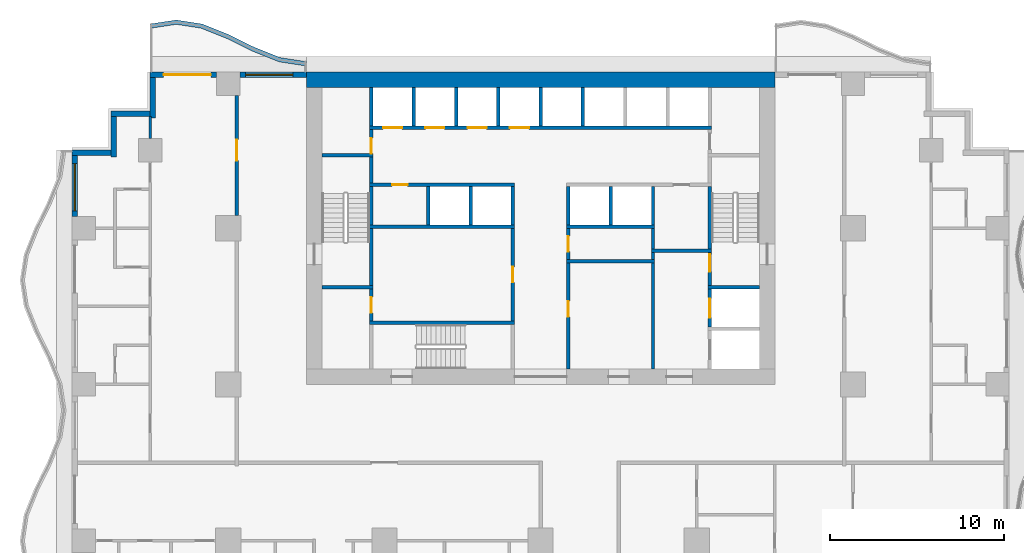
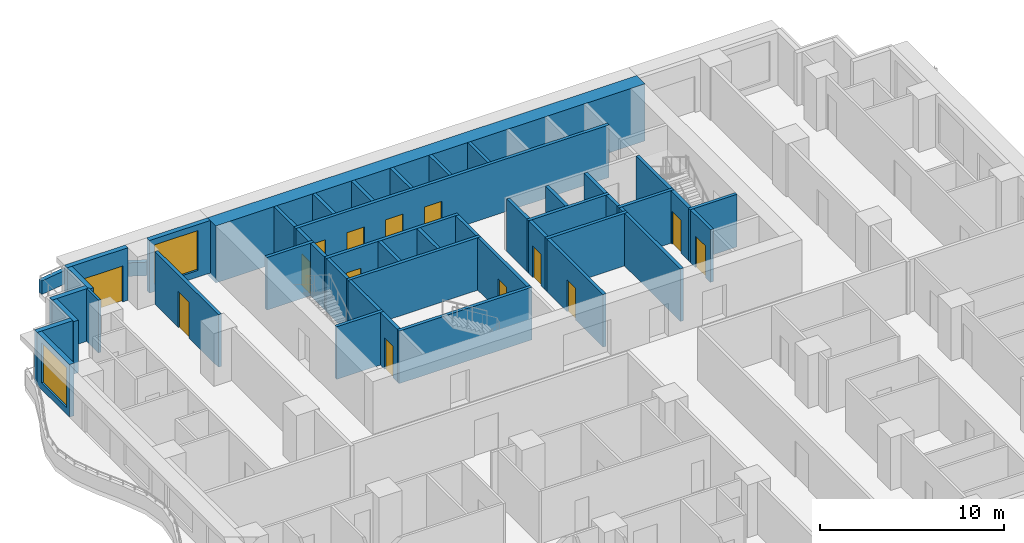
# One storey, part 5 of 13: 47 walls, 14 doors, 2 windows, 16 openings.
"""IFC4 building model written with IfcOpenShell, lengths in metres."""

from ifc_helpers import new_model, si_unit, direction, frame, frame_2d, origin, place, context, subcontext, project, spatial, polyline, rectangle, outline, extrude, material, layer, layer_set, type_object, element, fill, save


model = new_model("IFC4")

# Units and contexts
model_context = context("Model", 3, precision=1e-05, world=origin(), true_north=direction((0.0, 1.0)))
body_context = subcontext(model_context, "Body", "Model", "MODEL_VIEW")
ifc_project = project(units=[si_unit("LENGTHUNIT", "METRE"), si_unit("AREAUNIT", "SQUARE_METRE"), si_unit("VOLUMEUNIT", "CUBIC_METRE"), si_unit("PLANEANGLEUNIT", "RADIAN"), si_unit("MASSUNIT", "GRAM", prefix="KILO")], contexts=[model_context])

# Site, building, storey
site_placement = place(None, origin())
site = spatial("IfcSite", under=ifc_project, at=site_placement, CompositionType="ELEMENT")
building_placement = place(site_placement, origin())
building = spatial("IfcBuilding", under=site, at=building_placement, Name="Orbiselva Terraces", CompositionType="ELEMENT")
storey_placement = place(building_placement, frame((0.0, 0.0, 69.4)))
storey = spatial("IfcBuildingStorey", under=building, at=storey_placement, Name="L17", CompositionType="ELEMENT", Elevation=69.4)

# Wall
ifc_material_1 = material(Name="Concrete C80/95", Category="concrete")
ifc_layer_1 = layer(ifc_material_1, 0.9)
ifc_layer_set_1 = layer_set([ifc_layer_1], Name="Concrete C80/95")
wall_type_1 = type_object("IfcWallType", Name="CORE WALL 900 EXTERNAL", PredefinedType="SHEAR", material=ifc_layer_set_1)
wall_1_placement = place(storey_placement, frame((13.5, 22.05, -0.3), z_axis=(0.0, 0.0, 1.0), x_axis=(-1.0, 0.0, 0.0)))
element("IfcWall", 1, at=wall_1_placement, inside=storey, type_object=wall_type_1, Name="Core wall L17 north", PredefinedType="SHEAR", context=body_context, shape_type="SweptSolid", body=[
    extrude(rectangle(XDim=27.0, YDim=0.9, at=frame_2d((13.5, 0.0))), origin(), (0.0, 0.0, 1.0), 3.8),
])

# Wall, opening, door
ifc_material_2 = material(Name="Masonry blockwork", Category="masonry")
ifc_layer_2 = layer(ifc_material_2, 0.2)
ifc_layer_set_2 = layer_set([ifc_layer_2], Name="Masonry blockwork")
wall_type_2 = type_object("IfcWallType", Name="CORE-WALL-PARTITION-200", PredefinedType="PARTITIONING", material=ifc_layer_set_2)
wall_2_placement = place(storey_placement, frame((-9.75, 8.15, 0.0), z_axis=(0.0, 0.0, 1.0), x_axis=(0.0, 1.0, 0.0)))
wall_2 = element("IfcWall", 2, at=wall_2_placement, inside=storey, type_object=wall_type_2, Name="L17 core wall 05", PredefinedType="PARTITIONING", context=body_context, shape_type="SweptSolid", body=[
    extrude(rectangle(XDim=1.85, YDim=0.2, at=frame_2d((0.925, 0.0))), origin(), (0.0, 0.0, 1.0), 3.5),
])
opening_1_placement = place(wall_2_placement, frame((0.475, 0.0, 0.0)))
opening_1 = element("IfcOpeningElement", 3, at=opening_1_placement, cuts=wall_2, Name="Opening DR900", PredefinedType="OPENING", context=body_context, shape_type="SweptSolid", body=[
    extrude(rectangle(XDim=0.9, YDim=2.1, at=frame_2d((0.45, 1.05))), frame((0.0, 0.11, 0.0), z_axis=(0.0, -1.0, 0.0), x_axis=(1.0, 0.0, 0.0)), (0.0, 0.0, 1.0), 0.22),
])
ifc_material_3 = material(Name="Steel fire door", Category="steel")
door_type_1 = type_object("IfcDoorType", Name="ROOM DOOR 900", OperationType="NOTDEFINED", PredefinedType="DOOR", material=ifc_material_3)
door_1_placement = place(opening_1_placement, origin())
door_1 = element("IfcDoor", 4, at=door_1_placement, inside=storey, type_object=door_type_1, Name="L17 ACCESSIBLE WC door", OperationType="SINGLE_SWING_RIGHT", OverallHeight=2.1, OverallWidth=0.9, PredefinedType="DOOR", context=body_context, shape_type="SweptSolid", body=[
    extrude(rectangle(XDim=0.9, YDim=2.1, at=frame_2d((0.45, 1.05))), frame((0.0, 0.025, 0.0), z_axis=(0.0, -1.0, 0.0), x_axis=(1.0, 0.0, 0.0)), (0.0, 0.0, 1.0), 0.05),
])
fill(opening_1, door_1)

wall_3_placement = place(storey_placement, frame((-9.75, 17.8, 0.0), z_axis=(0.0, 0.0, 1.0), x_axis=(0.0, 1.0, 0.0)))
wall_3 = element("IfcWall", 5, at=wall_3_placement, inside=storey, type_object=wall_type_2, Name="L17 core wall 11", PredefinedType="PARTITIONING", context=body_context, shape_type="SweptSolid", body=[
    extrude(rectangle(XDim=1.4, YDim=0.2, at=frame_2d((0.7, 0.0))), origin(), (0.0, 0.0, 1.0), 3.5),
])
opening_2_placement = place(wall_3_placement, origin())
opening_2 = element("IfcOpeningElement", 6, at=opening_2_placement, cuts=wall_3, Name="Opening DR900", PredefinedType="OPENING", context=body_context, shape_type="SweptSolid", body=[
    extrude(rectangle(XDim=0.9, YDim=2.1, at=frame_2d((0.45, 1.05))), frame((0.0, 0.11, 0.0), z_axis=(0.0, -1.0, 0.0), x_axis=(1.0, 0.0, 0.0)), (0.0, 0.0, 1.0), 0.22),
])
door_2_placement = place(opening_2_placement, origin())
door_2 = element("IfcDoor", 7, at=door_2_placement, inside=storey, type_object=door_type_1, Name="L17 COMMS RISER ROOM door", OperationType="SINGLE_SWING_LEFT", OverallHeight=2.1, OverallWidth=0.9, PredefinedType="DOOR", context=body_context, shape_type="SweptSolid", body=[
    extrude(rectangle(XDim=0.9, YDim=2.1, at=frame_2d((0.45, 1.05))), frame((0.0, 0.025, 0.0), z_axis=(0.0, -1.0, 0.0), x_axis=(1.0, 0.0, 0.0)), (0.0, 0.0, 1.0), 0.05),
])
fill(opening_2, door_2)

wall_4_placement = place(storey_placement, frame((1.6, 13.5, 0.0), z_axis=(0.0, 0.0, 1.0), x_axis=(0.0, -1.0, 0.0)))
wall_4 = element("IfcWall", 8, at=wall_4_placement, inside=storey, type_object=wall_type_2, Name="L17 core wall 25", PredefinedType="PARTITIONING", context=body_context, shape_type="SweptSolid", body=[
    extrude(rectangle(XDim=1.8, YDim=0.2, at=frame_2d((0.9, 0.0))), origin(), (0.0, 0.0, 1.0), 3.5),
])
opening_3_placement = place(wall_4_placement, frame((0.45, 0.0, 0.0)))
opening_3 = element("IfcOpeningElement", 9, at=opening_3_placement, cuts=wall_4, Name="Opening DR900", PredefinedType="OPENING", context=body_context, shape_type="SweptSolid", body=[
    extrude(rectangle(XDim=0.9, YDim=2.1, at=frame_2d((0.45, 1.05))), frame((0.0, 0.11, 0.0), z_axis=(0.0, -1.0, 0.0), x_axis=(1.0, 0.0, 0.0)), (0.0, 0.0, 1.0), 0.22),
])
door_3_placement = place(opening_3_placement, origin())
door_3 = element("IfcDoor", 10, at=door_3_placement, inside=storey, type_object=door_type_1, Name="L17 IT ROOM door", OperationType="SINGLE_SWING_LEFT", OverallHeight=2.1, OverallWidth=0.9, PredefinedType="DOOR", context=body_context, shape_type="SweptSolid", body=[
    extrude(rectangle(XDim=0.9, YDim=2.1, at=frame_2d((0.45, 1.05))), frame((0.0, 0.025, 0.0), z_axis=(0.0, -1.0, 0.0), x_axis=(1.0, 0.0, 0.0)), (0.0, 0.0, 1.0), 0.05),
])
fill(opening_3, door_3)

# Walls
wall_5_placement = place(storey_placement, frame((6.475, 12.3, 0.0), z_axis=(0.0, 0.0, 1.0), x_axis=(0.0, 1.0, 0.0)))
element("IfcWall", 11, at=wall_5_placement, inside=storey, type_object=wall_type_2, Name="L17 core wall 35", PredefinedType="PARTITIONING", context=body_context, shape_type="SweptSolid", body=[
    extrude(rectangle(XDim=1.2, YDim=0.2, at=frame_2d((0.6, 0.0))), origin(), (0.0, 0.0, 1.0), 3.5),
])
ifc_material_4 = material(Name="Concrete C40/50", Category="concrete")
ifc_layer_3 = layer(ifc_material_4, 0.2)
ifc_layer_set_3 = layer_set([ifc_layer_3], Name="Concrete C40/50")
wall_type_3 = type_object("IfcWallType", Name="CORE-WALL-SHAFT-200", PredefinedType="PARTITIONING", material=ifc_layer_set_3)
for number, where, z_axis, x_axis, name in (
    (12, (-9.75, 19.4, 0.0), (0.0, 0.0, 1.0), (0.0, 1.0, 0.0), "L17 core wall 13"),
    (13, (-7.3125, 19.4, 0.0), (0.0, 0.0, 1.0), (0.0, 1.0, 0.0), "L17 core wall 14"),
    (14, (-6.475, 13.7, 0.0), (0.0, 0.0, 1.0), (0.0, 1.0, 0.0), "L17 core wall 15"),
    (15, (-4.875, 19.4, 0.0), (0.0, 0.0, 1.0), (0.0, 1.0, 0.0), "L17 core wall 16"),
    (16, (-4.0375, 13.7, 0.0), (0.0, 0.0, 1.0), (0.0, 1.0, 0.0), "L17 core wall 17"),
    (17, (-2.4375, 19.4, 0.0), (0.0, 0.0, 1.0), (0.0, 1.0, 0.0), "L17 core wall 18"),
    (18, (-1.6, 13.7, 0.0), (0.0, 0.0, 1.0), (0.0, 1.0, 0.0), "L17 core wall 21"),
    (19, (0.0, 19.4, 0.0), (0.0, 0.0, 1.0), (0.0, 1.0, 0.0), "L17 core wall 22"),
    (20, (1.6, 13.7, 0.0), (0.0, 0.0, 1.0), (0.0, 1.0, 0.0), "L17 core wall 27"),
    (21, (2.4375, 19.4, 0.0), (0.0, 0.0, 1.0), (0.0, 1.0, 0.0), "L17 core wall 29"),
    (22, (4.0375, 13.7, 0.0), (0.0, 0.0, 1.0), (0.0, 1.0, 0.0), "L17 core wall 30"),
    (23, (6.475, 13.7, 0.0), (0.0, 0.0, 1.0), (0.0, 1.0, 0.0), "L17 core wall 36"),
):
    element("IfcWall", number, at=place(storey_placement, frame(where, z_axis=z_axis, x_axis=x_axis)), inside=storey, type_object=wall_type_3, Name=name, PredefinedType="PARTITIONING", context=body_context, shape_type="SweptSolid", body=[
        extrude(rectangle(XDim=2.2, YDim=0.2, at=frame_2d((1.1, 0.0))), origin(), (0.0, 0.0, 1.0), 3.5),
    ])
ifc_material_5 = material(Name="Concrete C60/75", Category="concrete")
ifc_layer_4 = layer(ifc_material_5, 0.2)
ifc_layer_set_4 = layer_set([ifc_layer_4], Name="Concrete C60/75")
wall_type_4 = type_object("IfcWallType", Name="CORE-WALL-SHEAR-200", PredefinedType="SHEAR", material=ifc_layer_set_4)
for number, where, z_axis, x_axis, name in (
    (24, (-12.6, 10.1, 0.0), (0.0, 0.0, 1.0), (1.0, 0.0, 0.0), "L17 core wall 01"),
    (25, (-12.6, 17.7, 0.0), (0.0, 0.0, 1.0), (1.0, 0.0, 0.0), "L17 core wall 02"),
):
    element("IfcWall", number, at=place(storey_placement, frame(where, z_axis=z_axis, x_axis=x_axis)), inside=storey, type_object=wall_type_4, Name=name, PredefinedType="SHEAR", context=body_context, shape_type="SweptSolid", body=[
        extrude(rectangle(XDim=2.95, YDim=0.2, at=frame_2d((1.475, 0.0))), origin(), (0.0, 0.0, 1.0), 3.5),
    ])
wall_6_placement = place(storey_placement, frame((-9.85, 8.05, 0.0), z_axis=(0.0, 0.0, 1.0), x_axis=(1.0, 0.0, 0.0)))
element("IfcWall", 26, at=wall_6_placement, inside=storey, type_object=wall_type_4, Name="L17 core wall 04", PredefinedType="SHEAR", context=body_context, shape_type="SweptSolid", body=[
    extrude(rectangle(XDim=8.35, YDim=0.2, at=frame_2d((4.175, 0.0))), origin(), (0.0, 0.0, 1.0), 3.5),
])
wall_7_placement = place(storey_placement, frame((-9.75, 10.2, 0.0), z_axis=(0.0, 0.0, 1.0), x_axis=(0.0, 1.0, 0.0)))
element("IfcWall", 27, at=wall_7_placement, inside=storey, type_object=wall_type_4, Name="L17 core wall 06", PredefinedType="SHEAR", context=body_context, shape_type="SweptSolid", body=[
    extrude(rectangle(XDim=3.3, YDim=0.2, at=frame_2d((1.65, 0.0))), origin(), (0.0, 0.0, 1.0), 3.5),
])
wall_8_placement = place(storey_placement, frame((-9.85, 13.6, 0.0), z_axis=(0.0, 0.0, 1.0), x_axis=(1.0, 0.0, 0.0)))
element("IfcWall", 28, at=wall_8_placement, inside=storey, type_object=wall_type_4, Name="L17 core wall 07", PredefinedType="SHEAR", context=body_context, shape_type="SweptSolid", body=[
    extrude(rectangle(XDim=8.35, YDim=0.2, at=frame_2d((4.175, 0.0))), origin(), (0.0, 0.0, 1.0), 3.5),
])
wall_9_placement = place(storey_placement, frame((-9.75, 13.7, 0.0), z_axis=(0.0, 0.0, 1.0), x_axis=(0.0, 1.0, 0.0)))
element("IfcWall", 29, at=wall_9_placement, inside=storey, type_object=wall_type_4, Name="L17 core wall 08", PredefinedType="SHEAR", context=body_context, shape_type="SweptSolid", body=[
    extrude(rectangle(XDim=2.2, YDim=0.2, at=frame_2d((1.1, 0.0))), origin(), (0.0, 0.0, 1.0), 3.5),
])

# Wall, opening, door
wall_10_placement = place(storey_placement, frame((-1.5, 16.0, 0.0), z_axis=(0.0, 0.0, 1.0), x_axis=(-1.0, 0.0, 0.0)))
wall_10 = element("IfcWall", 30, at=wall_10_placement, inside=storey, type_object=wall_type_4, Name="L17 core wall 09", PredefinedType="SHEAR", context=body_context, shape_type="SweptSolid", body=[
    extrude(rectangle(XDim=8.35, YDim=0.2, at=frame_2d((4.175, 0.0))), origin(), (0.0, 0.0, 1.0), 3.5),
])
opening_4_placement = place(wall_10_placement, frame((6.1625, 0.0, 0.0)))
opening_4 = element("IfcOpeningElement", 31, at=opening_4_placement, cuts=wall_10, Name="Opening DR900", PredefinedType="OPENING", context=body_context, shape_type="SweptSolid", body=[
    extrude(rectangle(XDim=0.9, YDim=2.1, at=frame_2d((0.45, 1.05))), frame((0.0, 0.11, 0.0), z_axis=(0.0, -1.0, 0.0), x_axis=(1.0, 0.0, 0.0)), (0.0, 0.0, 1.0), 0.22),
])
door_4_placement = place(opening_4_placement, origin())
door_4 = element("IfcDoor", 32, at=door_4_placement, inside=storey, type_object=door_type_1, Name="L17 IT ROOM door", OperationType="SINGLE_SWING_RIGHT", OverallHeight=2.1, OverallWidth=0.9, PredefinedType="DOOR", context=body_context, shape_type="SweptSolid", body=[
    extrude(rectangle(XDim=0.9, YDim=2.1, at=frame_2d((0.45, 1.05))), frame((0.0, 0.025, 0.0), z_axis=(0.0, -1.0, 0.0), x_axis=(1.0, 0.0, 0.0)), (0.0, 0.0, 1.0), 0.05),
])
fill(opening_4, door_4)

# Wall
wall_11_placement = place(storey_placement, frame((-9.75, 16.1, 0.0), z_axis=(0.0, 0.0, 1.0), x_axis=(0.0, 1.0, 0.0)))
element("IfcWall", 33, at=wall_11_placement, inside=storey, type_object=wall_type_4, Name="L17 core wall 10", PredefinedType="SHEAR", context=body_context, shape_type="SweptSolid", body=[
    extrude(rectangle(XDim=1.5, YDim=0.2, at=frame_2d((0.75, 0.0))), origin(), (0.0, 0.0, 1.0), 3.5),
])

# Wall, openings, doors
wall_12_placement = place(storey_placement, frame((-9.85, 19.3, 0.0), z_axis=(0.0, 0.0, 1.0), x_axis=(1.0, 0.0, 0.0)))
wall_12 = element("IfcWall", 34, at=wall_12_placement, inside=storey, type_object=wall_type_4, Name="L17 core wall 12", PredefinedType="SHEAR", context=body_context, shape_type="SweptSolid", body=[
    extrude(rectangle(XDim=19.7, YDim=0.2, at=frame_2d((9.85, 0.0))), origin(), (0.0, 0.0, 1.0), 3.5),
])
opening_5_placement = place(wall_12_placement, frame((0.76875, 0.0, 0.0)))
opening_5 = element("IfcOpeningElement", 35, at=opening_5_placement, cuts=wall_12, Name="Opening LD-LR1", PredefinedType="OPENING", context=body_context, shape_type="SweptSolid", body=[
    extrude(rectangle(XDim=1.1, YDim=2.1, at=frame_2d((0.55, 1.05))), frame((0.0, 0.11, 0.0), z_axis=(0.0, -1.0, 0.0), x_axis=(1.0, 0.0, 0.0)), (0.0, 0.0, 1.0), 0.22),
])
opening_6_placement = place(wall_12_placement, frame((3.20625, 0.0, 0.0)))
opening_6 = element("IfcOpeningElement", 36, at=opening_6_placement, cuts=wall_12, Name="Opening LD-LR2", PredefinedType="OPENING", context=body_context, shape_type="SweptSolid", body=[
    extrude(rectangle(XDim=1.1, YDim=2.1, at=frame_2d((0.55, 1.05))), frame((0.0, 0.11, 0.0), z_axis=(0.0, -1.0, 0.0), x_axis=(1.0, 0.0, 0.0)), (0.0, 0.0, 1.0), 0.22),
])
opening_7_placement = place(wall_12_placement, frame((5.64375, 0.0, 0.0)))
opening_7 = element("IfcOpeningElement", 37, at=opening_7_placement, cuts=wall_12, Name="Opening LD-LR3", PredefinedType="OPENING", context=body_context, shape_type="SweptSolid", body=[
    extrude(rectangle(XDim=1.1, YDim=2.1, at=frame_2d((0.55, 1.05))), frame((0.0, 0.11, 0.0), z_axis=(0.0, -1.0, 0.0), x_axis=(1.0, 0.0, 0.0)), (0.0, 0.0, 1.0), 0.22),
])
opening_8_placement = place(wall_12_placement, frame((8.08125, 0.0, 0.0)))
opening_8 = element("IfcOpeningElement", 38, at=opening_8_placement, cuts=wall_12, Name="Opening LD-LR4", PredefinedType="OPENING", context=body_context, shape_type="SweptSolid", body=[
    extrude(rectangle(XDim=1.1, YDim=2.1, at=frame_2d((0.55, 1.05))), frame((0.0, 0.11, 0.0), z_axis=(0.0, -1.0, 0.0), x_axis=(1.0, 0.0, 0.0)), (0.0, 0.0, 1.0), 0.22),
])
ifc_material_6 = material(Name="Stainless steel landing door", Category="steel")
door_type_2 = type_object("IfcDoorType", Name="LANDING DOOR 1100", OperationType="SLIDING_TO_LEFT", PredefinedType="DOOR", material=ifc_material_6)
door_5_placement = place(opening_5_placement, origin())
door_5 = element("IfcDoor", 39, at=door_5_placement, inside=storey, type_object=door_type_2, Name="L17 landing door LR1", OperationType="SLIDING_TO_LEFT", OverallHeight=2.1, OverallWidth=1.1, PredefinedType="DOOR", context=body_context, shape_type="SweptSolid", body=[
    extrude(rectangle(XDim=1.1, YDim=2.1, at=frame_2d((0.55, 1.05))), frame((0.0, 0.025, 0.0), z_axis=(0.0, -1.0, 0.0), x_axis=(1.0, 0.0, 0.0)), (0.0, 0.0, 1.0), 0.05),
])
fill(opening_5, door_5)
door_6_placement = place(opening_6_placement, origin())
door_6 = element("IfcDoor", 40, at=door_6_placement, inside=storey, type_object=door_type_2, Name="L17 landing door LR2", OperationType="SLIDING_TO_LEFT", OverallHeight=2.1, OverallWidth=1.1, PredefinedType="DOOR", context=body_context, shape_type="SweptSolid", body=[
    extrude(rectangle(XDim=1.1, YDim=2.1, at=frame_2d((0.55, 1.05))), frame((0.0, 0.025, 0.0), z_axis=(0.0, -1.0, 0.0), x_axis=(1.0, 0.0, 0.0)), (0.0, 0.0, 1.0), 0.05),
])
fill(opening_6, door_6)
door_7_placement = place(opening_7_placement, origin())
door_7 = element("IfcDoor", 41, at=door_7_placement, inside=storey, type_object=door_type_2, Name="L17 landing door LR3", OperationType="SLIDING_TO_LEFT", OverallHeight=2.1, OverallWidth=1.1, PredefinedType="DOOR", context=body_context, shape_type="SweptSolid", body=[
    extrude(rectangle(XDim=1.1, YDim=2.1, at=frame_2d((0.55, 1.05))), frame((0.0, 0.025, 0.0), z_axis=(0.0, -1.0, 0.0), x_axis=(1.0, 0.0, 0.0)), (0.0, 0.0, 1.0), 0.05),
])
fill(opening_7, door_7)
door_8_placement = place(opening_8_placement, origin())
door_8 = element("IfcDoor", 42, at=door_8_placement, inside=storey, type_object=door_type_2, Name="L17 landing door LR4", OperationType="SLIDING_TO_LEFT", OverallHeight=2.1, OverallWidth=1.1, PredefinedType="DOOR", context=body_context, shape_type="SweptSolid", body=[
    extrude(rectangle(XDim=1.1, YDim=2.1, at=frame_2d((0.55, 1.05))), frame((0.0, 0.025, 0.0), z_axis=(0.0, -1.0, 0.0), x_axis=(1.0, 0.0, 0.0)), (0.0, 0.0, 1.0), 0.05),
])
fill(opening_8, door_8)

# Wall, opening, door
wall_13_placement = place(storey_placement, frame((-1.6, 8.15, 0.0), z_axis=(0.0, 0.0, 1.0), x_axis=(0.0, 1.0, 0.0)))
wall_13 = element("IfcWall", 43, at=wall_13_placement, inside=storey, type_object=wall_type_4, Name="L17 core wall 20", PredefinedType="SHEAR", context=body_context, shape_type="SweptSolid", body=[
    extrude(rectangle(XDim=5.35, YDim=0.2, at=frame_2d((2.675, 0.0))), origin(), (0.0, 0.0, 1.0), 3.5),
])
opening_9_placement = place(wall_13_placement, frame((2.225, 0.0, 0.0)))
opening_9 = element("IfcOpeningElement", 44, at=opening_9_placement, cuts=wall_13, Name="Opening DR900", PredefinedType="OPENING", context=body_context, shape_type="SweptSolid", body=[
    extrude(rectangle(XDim=0.9, YDim=2.1, at=frame_2d((0.45, 1.05))), frame((0.0, 0.11, 0.0), z_axis=(0.0, -1.0, 0.0), x_axis=(1.0, 0.0, 0.0)), (0.0, 0.0, 1.0), 0.22),
])
door_9_placement = place(opening_9_placement, origin())
door_9 = element("IfcDoor", 45, at=door_9_placement, inside=storey, type_object=door_type_1, Name="L17 LINEN STORE door", OperationType="SINGLE_SWING_RIGHT", OverallHeight=2.1, OverallWidth=0.9, PredefinedType="DOOR", context=body_context, shape_type="SweptSolid", body=[
    extrude(rectangle(XDim=0.9, YDim=2.1, at=frame_2d((0.45, 1.05))), frame((0.0, 0.025, 0.0), z_axis=(0.0, -1.0, 0.0), x_axis=(1.0, 0.0, 0.0)), (0.0, 0.0, 1.0), 0.05),
])
fill(opening_9, door_9)

wall_14_placement = place(storey_placement, frame((1.6, 11.5, 0.0), z_axis=(0.0, 0.0, 1.0), x_axis=(0.0, -1.0, 0.0)))
wall_14 = element("IfcWall", 46, at=wall_14_placement, inside=storey, type_object=wall_type_4, Name="L17 core wall 23", PredefinedType="SHEAR", context=body_context, shape_type="SweptSolid", body=[
    extrude(rectangle(XDim=6.1, YDim=0.2, at=frame_2d((3.05, 0.0))), origin(), (0.0, 0.0, 1.0), 3.5),
])
opening_10_placement = place(wall_14_placement, frame((2.2, 0.0, 0.0)))
opening_10 = element("IfcOpeningElement", 47, at=opening_10_placement, cuts=wall_14, Name="Opening DR900", PredefinedType="OPENING", context=body_context, shape_type="SweptSolid", body=[
    extrude(rectangle(XDim=0.9, YDim=2.1, at=frame_2d((0.45, 1.05))), frame((0.0, 0.11, 0.0), z_axis=(0.0, -1.0, 0.0), x_axis=(1.0, 0.0, 0.0)), (0.0, 0.0, 1.0), 0.22),
])
door_10_placement = place(opening_10_placement, origin())
door_10 = element("IfcDoor", 48, at=door_10_placement, inside=storey, type_object=door_type_1, Name="L17 SERVICE ROOM door", OperationType="SINGLE_SWING_LEFT", OverallHeight=2.1, OverallWidth=0.9, PredefinedType="DOOR", context=body_context, shape_type="SweptSolid", body=[
    extrude(rectangle(XDim=0.9, YDim=2.1, at=frame_2d((0.45, 1.05))), frame((0.0, 0.025, 0.0), z_axis=(0.0, -1.0, 0.0), x_axis=(1.0, 0.0, 0.0)), (0.0, 0.0, 1.0), 0.05),
])
fill(opening_10, door_10)

# Walls
for number, where, z_axis, x_axis, name in (
    (49, (1.5, 11.6, 0.0), (0.0, 0.0, 1.0), (1.0, 0.0, 0.0), "L17 core wall 24"),
    (50, (1.5, 13.6, 0.0), (0.0, 0.0, 1.0), (1.0, 0.0, 0.0), "L17 core wall 26"),
):
    element("IfcWall", number, at=place(storey_placement, frame(where, z_axis=z_axis, x_axis=x_axis)), inside=storey, type_object=wall_type_4, Name=name, PredefinedType="SHEAR", context=body_context, shape_type="SweptSolid", body=[
        extrude(rectangle(XDim=5.075, YDim=0.2, at=frame_2d((2.5375, 0.0))), origin(), (0.0, 0.0, 1.0), 3.5),
    ])
wall_15_placement = place(storey_placement, frame((6.475, 5.4, 0.0), z_axis=(0.0, 0.0, 1.0), x_axis=(0.0, 1.0, 0.0)))
element("IfcWall", 51, at=wall_15_placement, inside=storey, type_object=wall_type_4, Name="L17 core wall 32", PredefinedType="SHEAR", context=body_context, shape_type="SweptSolid", body=[
    extrude(rectangle(XDim=6.1, YDim=0.2, at=frame_2d((3.05, 0.0))), origin(), (0.0, 0.0, 1.0), 3.5),
])
wall_16_placement = place(storey_placement, frame((6.475, 11.7, 0.0), z_axis=(0.0, 0.0, 1.0), x_axis=(0.0, 1.0, 0.0)))
element("IfcWall", 52, at=wall_16_placement, inside=storey, type_object=wall_type_4, Name="L17 core wall 33", PredefinedType="SHEAR", context=body_context, shape_type="SweptSolid", body=[
    extrude(rectangle(XDim=0.4, YDim=0.2, at=frame_2d((0.2, 0.0))), origin(), (0.0, 0.0, 1.0), 3.5),
])
wall_17_placement = place(storey_placement, frame((6.375, 12.2, 0.0), z_axis=(0.0, 0.0, 1.0), x_axis=(1.0, 0.0, 0.0)))
element("IfcWall", 53, at=wall_17_placement, inside=storey, type_object=wall_type_4, Name="L17 core wall 34", PredefinedType="SHEAR", context=body_context, shape_type="SweptSolid", body=[
    extrude(rectangle(XDim=3.475, YDim=0.2, at=frame_2d((1.7375, 0.0))), origin(), (0.0, 0.0, 1.0), 3.5),
])

# Wall, opening, door
wall_18_placement = place(storey_placement, frame((9.75, 7.8, 0.0), z_axis=(0.0, 0.0, 1.0), x_axis=(0.0, 1.0, 0.0)))
wall_18 = element("IfcWall", 54, at=wall_18_placement, inside=storey, type_object=wall_type_4, Name="L17 core wall 40", PredefinedType="SHEAR", context=body_context, shape_type="SweptSolid", body=[
    extrude(rectangle(XDim=2.2, YDim=0.2, at=frame_2d((1.1, 0.0))), origin(), (0.0, 0.0, 1.0), 3.5),
])
opening_11_placement = place(wall_18_placement, frame((0.55, 0.0, 0.0)))
opening_11 = element("IfcOpeningElement", 55, at=opening_11_placement, cuts=wall_18, Name="Opening LD-FF2", PredefinedType="OPENING", context=body_context, shape_type="SweptSolid", body=[
    extrude(rectangle(XDim=1.1, YDim=2.1, at=frame_2d((0.55, 1.05))), frame((0.0, 0.11, 0.0), z_axis=(0.0, -1.0, 0.0), x_axis=(1.0, 0.0, 0.0)), (0.0, 0.0, 1.0), 0.22),
])
door_11_placement = place(opening_11_placement, origin())
door_11 = element("IfcDoor", 56, at=door_11_placement, inside=storey, type_object=door_type_2, Name="L17 landing door FF2", OperationType="SLIDING_TO_RIGHT", OverallHeight=2.1, OverallWidth=1.1, PredefinedType="DOOR", context=body_context, shape_type="SweptSolid", body=[
    extrude(rectangle(XDim=1.1, YDim=2.1, at=frame_2d((0.55, 1.05))), frame((0.0, 0.025, 0.0), z_axis=(0.0, -1.0, 0.0), x_axis=(1.0, 0.0, 0.0)), (0.0, 0.0, 1.0), 0.05),
])
fill(opening_11, door_11)

# Wall
wall_19_placement = place(storey_placement, frame((9.65, 10.1, 0.0), z_axis=(0.0, 0.0, 1.0), x_axis=(1.0, 0.0, 0.0)))
element("IfcWall", 57, at=wall_19_placement, inside=storey, type_object=wall_type_4, Name="L17 core wall 41", PredefinedType="SHEAR", context=body_context, shape_type="SweptSolid", body=[
    extrude(rectangle(XDim=2.95, YDim=0.2, at=frame_2d((1.475, 0.0))), origin(), (0.0, 0.0, 1.0), 3.5),
])

# Wall, opening, door
wall_20_placement = place(storey_placement, frame((9.75, 12.1, 0.0), z_axis=(0.0, 0.0, 1.0), x_axis=(0.0, -1.0, 0.0)))
wall_20 = element("IfcWall", 58, at=wall_20_placement, inside=storey, type_object=wall_type_4, Name="L17 core wall 42", PredefinedType="SHEAR", context=body_context, shape_type="SweptSolid", body=[
    extrude(rectangle(XDim=1.9, YDim=0.2, at=frame_2d((0.95, 0.0))), origin(), (0.0, 0.0, 1.0), 3.5),
])
opening_12_placement = place(wall_20_placement, frame((0.1, 0.0, 0.0)))
opening_12 = element("IfcOpeningElement", 59, at=opening_12_placement, cuts=wall_20, Name="Opening DS1000", PredefinedType="OPENING", context=body_context, shape_type="SweptSolid", body=[
    extrude(rectangle(XDim=1.0, YDim=2.2, at=frame_2d((0.5, 1.1))), frame((0.0, 0.11, 0.0), z_axis=(0.0, -1.0, 0.0), x_axis=(1.0, 0.0, 0.0)), (0.0, 0.0, 1.0), 0.22),
])
door_type_3 = type_object("IfcDoorType", Name="STAIR DOOR 1000", OperationType="NOTDEFINED", PredefinedType="DOOR", material=ifc_material_3)
door_12_placement = place(opening_12_placement, origin())
door_12 = element("IfcDoor", 60, at=door_12_placement, inside=storey, type_object=door_type_3, Name="L17 FIRE-FIGHTING LOBBY TO EXIT STAIR S2 door", OperationType="SINGLE_SWING_LEFT", OverallHeight=2.2, OverallWidth=1.0, PredefinedType="DOOR", context=body_context, shape_type="SweptSolid", body=[
    extrude(rectangle(XDim=1.0, YDim=2.2, at=frame_2d((0.5, 1.1))), frame((0.0, 0.025, 0.0), z_axis=(0.0, -1.0, 0.0), x_axis=(1.0, 0.0, 0.0)), (0.0, 0.0, 1.0), 0.05),
])
fill(opening_12, door_12)

# Walls
wall_21_placement = place(storey_placement, frame((9.75, 12.3, 0.0), z_axis=(0.0, 0.0, 1.0), x_axis=(0.0, 1.0, 0.0)))
element("IfcWall", 61, at=wall_21_placement, inside=storey, type_object=wall_type_4, Name="L17 core wall 43", PredefinedType="SHEAR", context=body_context, shape_type="SweptSolid", body=[
    extrude(rectangle(XDim=3.6, YDim=0.2, at=frame_2d((1.8, 0.0))), origin(), (0.0, 0.0, 1.0), 3.5),
])
ifc_layer_5 = layer(ifc_material_4, 0.25)
ifc_layer_set_5 = layer_set([ifc_layer_5], Name="Concrete C40/50")
wall_type_5 = type_object("IfcWallType", Name="ENV-PLANTER-250x900", PredefinedType="USERDEFINED", material=ifc_layer_set_5)
wall_22_placement = place(storey_placement, origin())
element("IfcWall", 62, at=wall_22_placement, inside=storey, type_object=wall_type_5, Name="Balcony planter L17 NW", ObjectType="PLANTER", PredefinedType="USERDEFINED", context=body_context, shape_type="SweptSolid", body=[
    extrude(outline(polyline([(-13.5, 23.1), (-15.0, 23.32918), (-16.5, 23.92918), (-18.0, 24.67082), (-19.5, 25.27082), (-21.0, 25.5), (-22.5, 25.27082), (-22.462242, 25.023688), (-21.0, 25.247099), (-19.566166, 25.028028), (-18.101983, 24.442355), (-16.601983, 23.700715), (-15.066166, 23.086388), (-13.537758, 22.852868), (-13.5, 23.1)])), origin(), (0.0, 0.0, 1.0), 0.9),
])

# Wall, opening, window
ifc_material_7 = material(Name="Terracotta cladding on masonry backing", Category="masonry")
ifc_layer_6 = layer(ifc_material_7, 0.3)
ifc_layer_set_6 = layer_set([ifc_layer_6], Name="Terracotta cladding on masonry backing")
wall_type_6 = type_object("IfcWallType", Name="ENV-WALL-TERRACOTTA-300", PredefinedType="SOLIDWALL", material=ifc_layer_set_6)
wall_23_placement = place(storey_placement, frame((-17.325, 22.35, 0.0), z_axis=(0.0, 0.0, 1.0), x_axis=(1.0, 0.0, 0.0)))
wall_23 = element("IfcWall", 63, at=wall_23_placement, inside=storey, type_object=wall_type_6, Name="Facade wall L17 NW", PredefinedType="SOLIDWALL", context=body_context, shape_type="SweptSolid", body=[
    extrude(rectangle(XDim=3.825, YDim=0.3, at=frame_2d((1.9125, 0.0))), origin(), (0.0, 0.0, 1.0), 3.5),
])
opening_13_placement = place(wall_23_placement, frame((0.325, 0.0, 0.45)))
opening_13 = element("IfcOpeningElement", 64, at=opening_13_placement, cuts=wall_23, Name="Opening WN5", PredefinedType="OPENING", context=body_context, shape_type="SweptSolid", body=[
    extrude(rectangle(XDim=2.725, YDim=2.65, at=frame_2d((1.3625, 1.325))), frame((0.0, 0.16, 0.0), z_axis=(0.0, -1.0, 0.0), x_axis=(1.0, 0.0, 0.0)), (0.0, 0.0, 1.0), 0.32),
])
ifc_material_8 = material(Name="Clear low-e glazing in aluminium frame", Category="aluminium")
window_type = type_object("IfcWindowType", Name="WINDOW 2725 X 2650 S450", PartitioningType="TRIPLE_PANEL_VERTICAL", PredefinedType="WINDOW", material=ifc_material_8)
window_1_placement = place(opening_13_placement, origin())
window_1 = element("IfcWindow", 65, at=window_1_placement, inside=storey, type_object=window_type, Name="Window L17 NW", OverallHeight=2.65, OverallWidth=2.725, PartitioningType="SINGLE_PANEL", PredefinedType="WINDOW", context=body_context, shape_type="SweptSolid", body=[
    extrude(rectangle(XDim=2.725, YDim=2.65, at=frame_2d((1.3625, 1.325))), frame((0.0, 0.03, 0.0), z_axis=(0.0, -1.0, 0.0), x_axis=(1.0, 0.0, 0.0)), (0.0, 0.0, 1.0), 0.06),
])
fill(opening_13, window_1)

# Wall, opening, door
wall_24_placement = place(storey_placement, frame((-22.5, 22.35, 0.0), z_axis=(0.0, 0.0, 1.0), x_axis=(1.0, 0.0, 0.0)))
wall_24 = element("IfcWall", 66, at=wall_24_placement, inside=storey, type_object=wall_type_6, Name="Facade wall L17 NW", PredefinedType="SOLIDWALL", context=body_context, shape_type="SweptSolid", body=[
    extrude(rectangle(XDim=3.825, YDim=0.3, at=frame_2d((1.9125, 0.0))), origin(), (0.0, 0.0, 1.0), 3.5),
])
opening_14_placement = place(wall_24_placement, frame((0.775, 0.0, 0.0)))
opening_14 = element("IfcOpeningElement", 67, at=opening_14_placement, cuts=wall_24, Name="Opening Z2-A-E09", PredefinedType="OPENING", context=body_context, shape_type="SweptSolid", body=[
    extrude(rectangle(XDim=2.725, YDim=2.4, at=frame_2d((1.3625, 1.2))), frame((0.0, 0.16, 0.0), z_axis=(0.0, -1.0, 0.0), x_axis=(1.0, 0.0, 0.0)), (0.0, 0.0, 1.0), 0.32),
])
door_type_4 = type_object("IfcDoorType", Name="BALCONY DOOR 2725 X 2400", OperationType="DOUBLE_DOOR_SLIDING", PredefinedType="DOOR", material=ifc_material_8)
door_13_placement = place(opening_14_placement, origin())
door_13 = element("IfcDoor", 68, at=door_13_placement, inside=storey, type_object=door_type_4, Name="Z2-A-E09", OperationType="SINGLE_SWING_LEFT", OverallHeight=2.4, OverallWidth=2.725, PredefinedType="DOOR", context=body_context, shape_type="SweptSolid", body=[
    extrude(rectangle(XDim=2.725, YDim=2.4, at=frame_2d((1.3625, 1.2))), frame((0.0, 0.025, 0.0), z_axis=(0.0, -1.0, 0.0), x_axis=(1.0, 0.0, 0.0)), (0.0, 0.0, 1.0), 0.05),
])
fill(opening_14, door_13)

# Walls
wall_25_placement = place(storey_placement, frame((-22.35, 19.85, 0.0), z_axis=(0.0, 0.0, 1.0), x_axis=(0.0, 1.0, 0.0)))
element("IfcWall", 69, at=wall_25_placement, inside=storey, type_object=wall_type_6, Name="Facade wall L17 STEP", PredefinedType="SOLIDWALL", context=body_context, shape_type="SweptSolid", body=[
    extrude(rectangle(XDim=2.35, YDim=0.3, at=frame_2d((1.175, 0.0))), origin(), (0.0, 0.0, 1.0), 3.5),
])
wall_26_placement = place(storey_placement, frame((-24.75, 20.1, 0.0), z_axis=(0.0, 0.0, 1.0), x_axis=(1.0, 0.0, 0.0)))
element("IfcWall", 70, at=wall_26_placement, inside=storey, type_object=wall_type_6, Name="Facade wall L17 STEP", PredefinedType="SOLIDWALL", context=body_context, shape_type="SweptSolid", body=[
    extrude(rectangle(XDim=2.25, YDim=0.3, at=frame_2d((1.125, 0.0))), origin(), (0.0, 0.0, 1.0), 3.5),
])
wall_27_placement = place(storey_placement, frame((-24.6, 17.6, 0.0), z_axis=(0.0, 0.0, 1.0), x_axis=(0.0, 1.0, 0.0)))
element("IfcWall", 71, at=wall_27_placement, inside=storey, type_object=wall_type_6, Name="Facade wall L17 STEP", PredefinedType="SOLIDWALL", context=body_context, shape_type="SweptSolid", body=[
    extrude(rectangle(XDim=2.35, YDim=0.3, at=frame_2d((1.175, 0.0))), origin(), (0.0, 0.0, 1.0), 3.5),
])
wall_28_placement = place(storey_placement, frame((-27.0, 17.85, 0.0), z_axis=(0.0, 0.0, 1.0), x_axis=(1.0, 0.0, 0.0)))
element("IfcWall", 72, at=wall_28_placement, inside=storey, type_object=wall_type_6, Name="Facade wall L17 STEP", PredefinedType="SOLIDWALL", context=body_context, shape_type="SweptSolid", body=[
    extrude(rectangle(XDim=2.25, YDim=0.3, at=frame_2d((1.125, 0.0))), origin(), (0.0, 0.0, 1.0), 3.5),
])

# Wall, opening, window
wall_29_placement = place(storey_placement, frame((-26.85, 14.175, 0.0), z_axis=(0.0, 0.0, 1.0), x_axis=(0.0, 1.0, 0.0)))
wall_29 = element("IfcWall", 73, at=wall_29_placement, inside=storey, type_object=wall_type_6, Name="Facade wall L17 W", PredefinedType="SOLIDWALL", context=body_context, shape_type="SweptSolid", body=[
    extrude(rectangle(XDim=3.525, YDim=0.3, at=frame_2d((1.7625, 0.0))), origin(), (0.0, 0.0, 1.0), 3.5),
])
opening_15_placement = place(wall_29_placement, frame((0.325, 0.0, 0.45)))
opening_15 = element("IfcOpeningElement", 74, at=opening_15_placement, cuts=wall_29, Name="Opening WN5", PredefinedType="OPENING", context=body_context, shape_type="SweptSolid", body=[
    extrude(rectangle(XDim=2.725, YDim=2.65, at=frame_2d((1.3625, 1.325))), frame((0.0, 0.16, 0.0), z_axis=(0.0, -1.0, 0.0), x_axis=(1.0, 0.0, 0.0)), (0.0, 0.0, 1.0), 0.32),
])
window_2_placement = place(opening_15_placement, origin())
window_2 = element("IfcWindow", 75, at=window_2_placement, inside=storey, type_object=window_type, Name="Window L17 W", OverallHeight=2.65, OverallWidth=2.725, PartitioningType="SINGLE_PANEL", PredefinedType="WINDOW", context=body_context, shape_type="SweptSolid", body=[
    extrude(rectangle(XDim=2.725, YDim=2.65, at=frame_2d((1.3625, 1.325))), frame((0.0, 0.03, 0.0), z_axis=(0.0, -1.0, 0.0), x_axis=(1.0, 0.0, 0.0)), (0.0, 0.0, 1.0), 0.06),
])
fill(opening_15, window_2)

# Wall, opening, door
ifc_material_9 = material(Name="Plasterboard on steel stud partition", Category="steel")
ifc_layer_7 = layer(ifc_material_9, 0.2)
ifc_layer_set_7 = layer_set([ifc_layer_7], Name="Plasterboard on steel stud partition")
wall_type_7 = type_object("IfcWallType", Name="UNIT-ENTRANCE-WALL-200", PredefinedType="PARTITIONING", material=ifc_layer_set_7)
wall_30_placement = place(storey_placement, frame((-17.5, 14.225, 0.0), z_axis=(0.0, 0.0, 1.0), x_axis=(0.0, 1.0, 0.0)))
wall_30 = element("IfcWall", 76, at=wall_30_placement, inside=storey, type_object=wall_type_7, Name="PARTITION L17-053", PredefinedType="PARTITIONING", context=body_context, shape_type="SweptSolid", body=[
    extrude(rectangle(XDim=6.925, YDim=0.2, at=frame_2d((3.4625, 0.0))), origin(), (0.0, 0.0, 1.0), 3.5),
])
opening_16_placement = place(wall_30_placement, frame((3.175, 0.0, 0.0)))
opening_16 = element("IfcOpeningElement", 77, at=opening_16_placement, cuts=wall_30, Name="Opening Z2-A-01", PredefinedType="OPENING", context=body_context, shape_type="SweptSolid", body=[
    extrude(rectangle(XDim=1.2, YDim=2.4, at=frame_2d((0.6, 1.2))), frame((0.0, 0.11, 0.0), z_axis=(0.0, -1.0, 0.0), x_axis=(1.0, 0.0, 0.0)), (0.0, 0.0, 1.0), 0.22),
])
ifc_material_10 = material(Name="Painted timber door leaf", Category="wood")
door_type_5 = type_object("IfcDoorType", Name="ENTRANCE DOOR 1200", OperationType="NOTDEFINED", PredefinedType="DOOR", material=ifc_material_10)
door_14_placement = place(opening_16_placement, origin())
door_14 = element("IfcDoor", 78, at=door_14_placement, inside=storey, type_object=door_type_5, Name="Z2-A-01", OperationType="SINGLE_SWING_RIGHT", OverallHeight=2.4, OverallWidth=1.2, PredefinedType="DOOR", context=body_context, shape_type="SweptSolid", body=[
    extrude(rectangle(XDim=1.2, YDim=2.4, at=frame_2d((0.6, 1.2))), frame((0.0, 0.025, 0.0), z_axis=(0.0, -1.0, 0.0), x_axis=(1.0, 0.0, 0.0)), (0.0, 0.0, 1.0), 0.05),
])
fill(opening_16, door_14)

# Wall
ifc_layer_8 = layer(ifc_material_9, 0.15)
ifc_layer_set_8 = layer_set([ifc_layer_8], Name="Plasterboard on steel stud partition")
wall_type_8 = type_object("IfcWallType", Name="UNIT-PARTITION-150", PredefinedType="PARTITIONING", material=ifc_layer_set_8)
wall_31_placement = place(storey_placement, frame((-22.5, 18.675, 0.0), z_axis=(0.0, 0.0, 1.0), x_axis=(0.0, 1.0, 0.0)))
element("IfcWall", 79, at=wall_31_placement, inside=storey, type_object=wall_type_8, Name="PARTITION L17-047", PredefinedType="PARTITIONING", context=body_context, shape_type="SweptSolid", body=[
    extrude(rectangle(XDim=1.275, YDim=0.15, at=frame_2d((0.6375, 0.0))), origin(), (0.0, 0.0, 1.0), 3.5),
])

save(model, "model.ifc")
